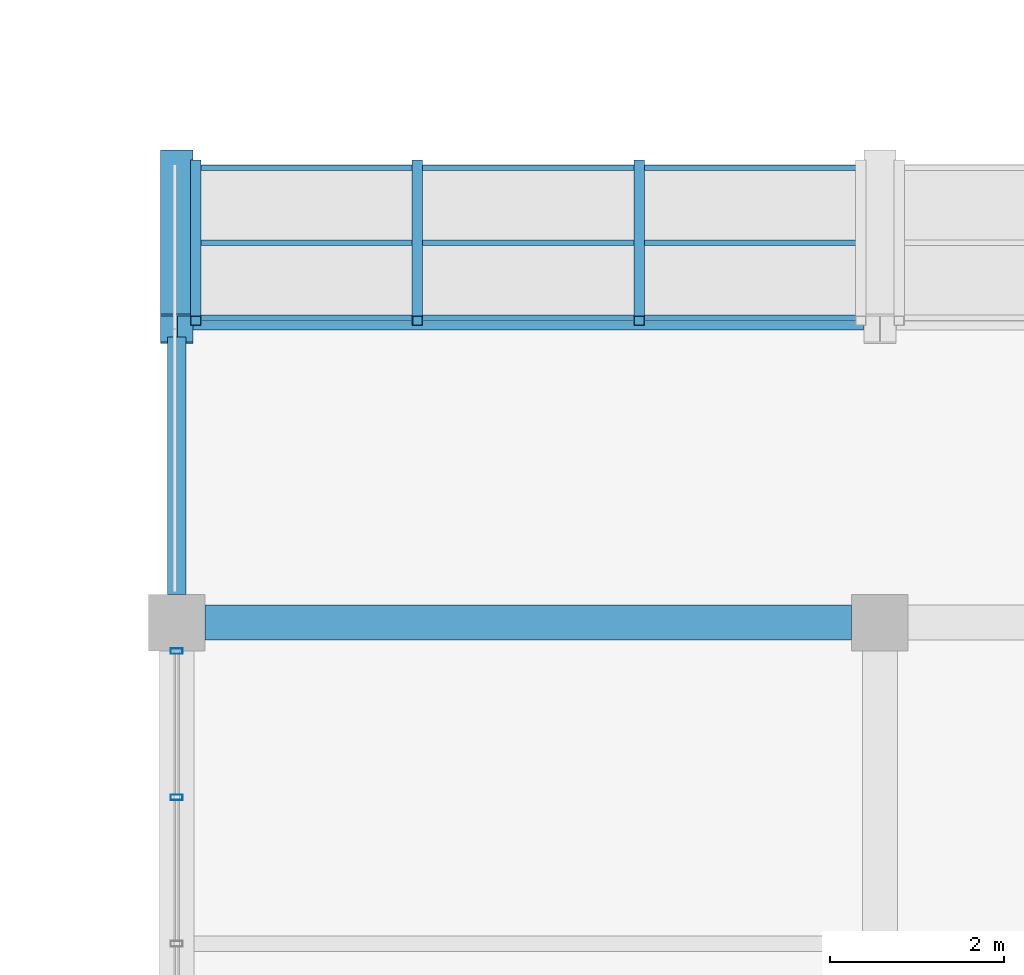
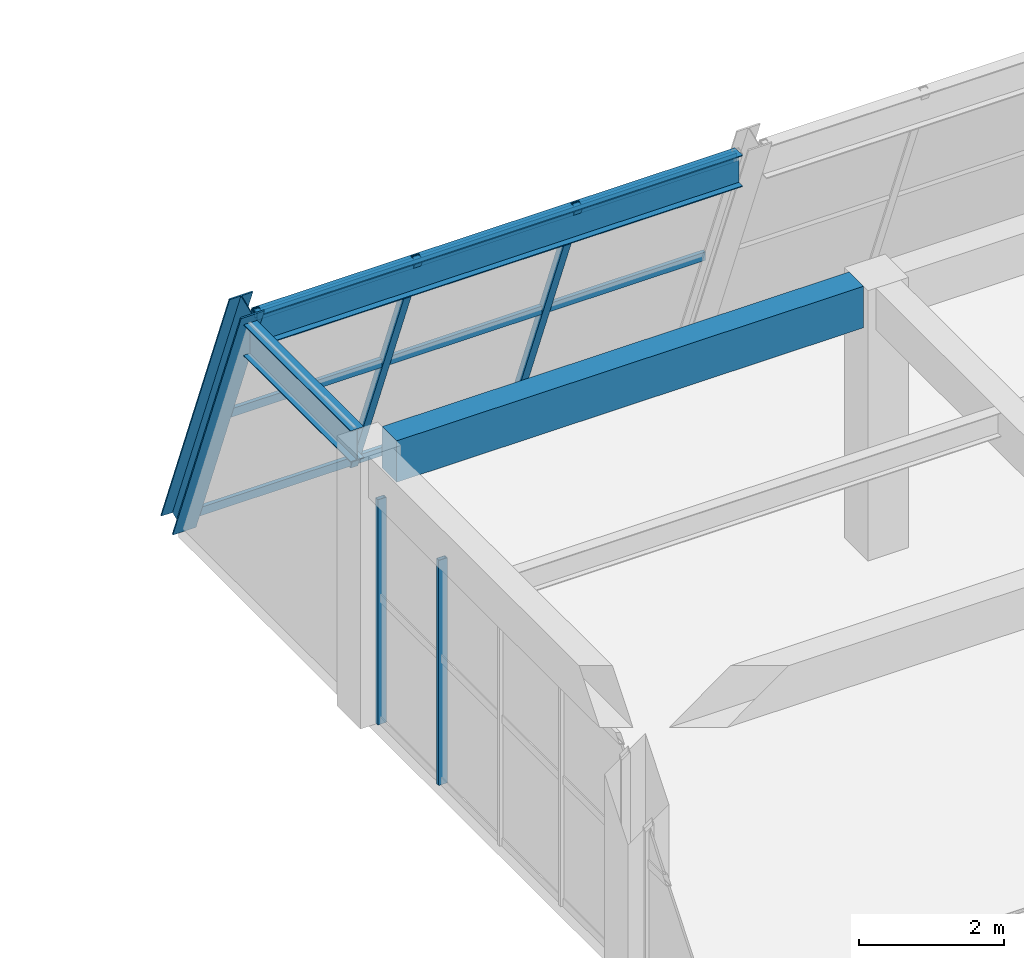
# One storey, part 126 of 161: 9 members, 3 beams, 2 elements without a shape of their own.
"""IFC4 building model written with IfcOpenShell, lengths in metres."""

from ifc_helpers import new_model, si_unit, direction, frame, origin, origin_2d, place, context, subcontext, project, spatial, rectangle, hollow_rectangle, i_section, extrude, material, material_profile, profile_set, type_object, element, aggregate, save


model = new_model("IFC4")

# Units and contexts
model_context = context("Model", 3, precision=1e-05, world=origin(), true_north=direction((0.0, 1.0)))
body_context = subcontext(model_context, "Body", "Model", "MODEL_VIEW")
ifc_project = project(units=[si_unit("LENGTHUNIT", "METRE"), si_unit("AREAUNIT", "SQUARE_METRE"), si_unit("VOLUMEUNIT", "CUBIC_METRE"), si_unit("PLANEANGLEUNIT", "RADIAN"), si_unit("MASSUNIT", "GRAM", prefix="KILO")], contexts=[model_context])

# Site, building, storey
site_placement = place(None, origin())
site = spatial("IfcSite", under=ifc_project, at=site_placement, CompositionType="ELEMENT")
building_placement = place(site_placement, origin())
building = spatial("IfcBuilding", under=site, at=building_placement, Name="Cimatlan Art Gallery", CompositionType="ELEMENT")
storey_placement = place(building_placement, frame((0.0, 0.0, 5.39990234375)))
storey = spatial("IfcBuildingStorey", under=building, at=storey_placement, Name="L01", CompositionType="ELEMENT", Elevation=5.39990234375)

# Beams
ifc_material_1 = material(Name="Concrete C40/50", Category="concrete")
ifc_material_profile_1 = material_profile(ifc_material_1, rectangle(XDim=0.39990234375, YDim=0.699951171875, at=origin_2d()), Name="RC400X700")
ifc_profile_set_1 = profile_set([ifc_material_profile_1], Name="Concrete C40/50")
beam_type_1 = type_object("IfcBeamType", Name="BM-RC-400X700", PredefinedType="BEAM", material=ifc_profile_set_1)
beam_1_placement = place(storey_placement, frame((148.125, 75.699951171875, 4.210205078125), z_axis=(1.0, 0.0, 0.0), x_axis=(0.0, 1.0, 0.0)))
element("IfcBeam", 1, at=beam_1_placement, inside=storey, type_object=beam_type_1, Name="BM-X-L01-18-10", PredefinedType="BEAM", context=body_context, shape_type="SweptSolid", body=[
    extrude(rectangle(XDim=0.39990234375, YDim=0.699951171875, at=origin_2d()), origin(), (0.0, 0.0, 1.0), 7.449951171875),
])
ifc_material_2 = material(Name="Steel ASTM A992 Grade 50", Category="steel")
ifc_material_profile_2 = material_profile(ifc_material_2, i_section(OverallWidth=0.2099609375, OverallDepth=0.532958984375, WebThickness=0.01025390625, FlangeThickness=0.015625, at=origin_2d()), Name="W21X62")
ifc_profile_set_2 = profile_set([ifc_material_profile_2], Name="Steel ASTM A992 Grade 50")
beam_type_2 = type_object("IfcBeamType", Name="BM-STL-W21X62", PredefinedType="BEAM", material=ifc_profile_set_2)
beam_2_placement = place(storey_placement, frame((147.989990234375, 79.1767578125, 4.293701171875), z_axis=(1.0, 0.0, 0.0), x_axis=(0.0, 1.0, 0.0)))
element("IfcBeam", 2, at=beam_2_placement, inside=storey, type_object=beam_type_2, Name="BM-PRW-X-L01-B5-18", PredefinedType="BEAM", context=body_context, shape_type="SweptSolid", body=[
    extrude(i_section(OverallWidth=0.2099609375, OverallDepth=0.532958984375, WebThickness=0.01025390625, FlangeThickness=0.015625, at=origin_2d()), origin(), (0.0, 0.0, 1.0), 7.719970703125),
])
beam_3_placement = place(storey_placement, frame((147.800048828125, 76.02490234375, 4.293701171875), z_axis=(0.0, 1.0, 0.0), x_axis=(-1.0, 0.0, 0.0)))
element("IfcBeam", 3, at=beam_3_placement, inside=storey, type_object=beam_type_2, Name="BM-PRW-Y-L01-B5-18", PredefinedType="BEAM", context=body_context, shape_type="SweptSolid", body=[
    extrude(i_section(OverallWidth=0.2099609375, OverallDepth=0.532958984375, WebThickness=0.01025390625, FlangeThickness=0.015625, at=origin_2d()), origin(), (0.0, 0.0, 1.0), 2.9619140625),
])

# Curtain wall, members
ifc_material_3 = material(Name="Anodised bronze unitised curtain wall")
curtain_wall_type_1 = type_object("IfcCurtainWallType", Name="CW-V-06742X03800-B4", PredefinedType="NOTDEFINED", material=ifc_material_3)
curtain_wall_1_placement = place(storey_placement, origin())
curtain_wall_1 = element("IfcCurtainWall", 4, at=curtain_wall_1_placement, inside=storey, type_object=curtain_wall_type_1, Name="CW-L01-18-09-W", PredefinedType="NOTDEFINED")
ifc_material_4 = material(Name="Anodised bronze aluminium 6063-T6", Category="aluminium")
ifc_material_profile_3 = material_profile(ifc_material_4, hollow_rectangle(XDim=0.06494140625, YDim=0.139892578125, WallThickness=0.00390625, at=origin_2d()), Name="ALU65X140X4")
ifc_profile_set_3 = profile_set([ifc_material_profile_3], Name="Anodised bronze aluminium 6063-T6")
member_type_1 = type_object("IfcMemberType", Name="CW-MUL-140", PredefinedType="MULLION", material=ifc_profile_set_3)
member_1_placement = place(storey_placement, frame((147.800048828125, 73.685546875, 0.0), z_axis=(0.0, 0.0, 1.0), x_axis=(0.0, 1.0, 0.0)))
member_1 = element("IfcMember", 5, at=member_1_placement, type_object=member_type_1, Name="CW-L01-18-09-W-M4", PredefinedType="MULLION", context=body_context, shape_type="SweptSolid", body=[
    extrude(hollow_rectangle(XDim=0.06494140625, YDim=0.139892578125, WallThickness=0.00390625, at=origin_2d()), origin(), (0.0, 0.0, 1.0), 3.800048828125),
])
member_2_placement = place(storey_placement, frame((147.800048828125, 75.37109375, 0.0), z_axis=(0.0, 0.0, 1.0), x_axis=(0.0, 1.0, 0.0)))
member_2 = element("IfcMember", 6, at=member_2_placement, type_object=member_type_1, Name="CW-L01-18-09-W-M5", PredefinedType="MULLION", context=body_context, shape_type="SweptSolid", body=[
    extrude(hollow_rectangle(XDim=0.06494140625, YDim=0.139892578125, WallThickness=0.00390625, at=origin_2d()), origin(), (0.0, 0.0, 1.0), 3.800048828125),
])
aggregate(curtain_wall_1, [member_1, member_2])

ifc_material_5 = material(Name="Raked steel-and-bronze lancet curtain wall", Category="steel")
curtain_wall_type_2 = type_object("IfcCurtainWallType", Name="CW-RAK-07660X04901-B3", PredefinedType="NOTDEFINED", material=ifc_material_5)
curtain_wall_2_placement = place(storey_placement, origin())
curtain_wall_2 = element("IfcCurtainWall", 7, at=curtain_wall_2_placement, inside=storey, type_object=curtain_wall_type_2, Name="CW-PROW-L01-B5-18", PredefinedType="NOTDEFINED")
ifc_material_6 = material(Name="Steel ASTM A500 Grade C", Category="steel")
ifc_material_profile_4 = material_profile(ifc_material_6, hollow_rectangle(XDim=0.1201171875, YDim=0.1201171875, WallThickness=0.00634765625, at=origin_2d()), Name="HSS120X120X6")
ifc_profile_set_4 = profile_set([ifc_material_profile_4], Name="Steel ASTM A500 Grade C")
member_type_2 = type_object("IfcMemberType", Name="CW-MUL-RAK", PredefinedType="MULLION", material=ifc_profile_set_4)
member_3_placement = place(storey_placement, frame((148.02001953125, 80.972900390625, 0.0), z_axis=(0.0, -0.366481396036, 0.930425379254), x_axis=(1.0, 0.0, 0.0)))
member_3 = element("IfcMember", 8, at=member_3_placement, type_object=member_type_2, Name="CW-PROW-L01-B5-18-M1", PredefinedType="MULLION", context=body_context, shape_type="SweptSolid", body=[
    extrude(hollow_rectangle(XDim=0.1201171875, YDim=0.1201171875, WallThickness=0.00634765625, at=origin_2d()), origin(), (0.0, 0.0, 1.0), 4.901123046875),
])
member_4_placement = place(storey_placement, frame((150.5732421875, 80.972900390625, 0.0), z_axis=(0.0, -0.366481396036, 0.930425379254), x_axis=(1.0, 0.0, 0.0)))
member_4 = element("IfcMember", 9, at=member_4_placement, type_object=member_type_2, Name="CW-PROW-L01-B5-18-M2", PredefinedType="MULLION", context=body_context, shape_type="SweptSolid", body=[
    extrude(hollow_rectangle(XDim=0.1201171875, YDim=0.1201171875, WallThickness=0.00634765625, at=origin_2d()), origin(), (0.0, 0.0, 1.0), 4.901123046875),
])
member_5_placement = place(storey_placement, frame((153.126708984375, 80.972900390625, 0.0), z_axis=(0.0, -0.366481396036, 0.930425379254), x_axis=(1.0, 0.0, 0.0)))
member_5 = element("IfcMember", 10, at=member_5_placement, type_object=member_type_2, Name="CW-PROW-L01-B5-18-M3", PredefinedType="MULLION", context=body_context, shape_type="SweptSolid", body=[
    extrude(hollow_rectangle(XDim=0.1201171875, YDim=0.1201171875, WallThickness=0.00634765625, at=origin_2d()), origin(), (0.0, 0.0, 1.0), 4.901123046875),
])
ifc_material_profile_5 = material_profile(ifc_material_4, hollow_rectangle(XDim=0.06494140625, YDim=0.139892578125, WallThickness=0.00390625, at=origin_2d()), Name="ALU65X140X4")
ifc_profile_set_5 = profile_set([ifc_material_profile_5], Name="Anodised bronze aluminium 6063-T6")
member_type_3 = type_object("IfcMemberType", Name="CW-TRN-140", PredefinedType="USERDEFINED", material=ifc_profile_set_5)
member_6_placement = place(storey_placement, frame((148.02001953125, 80.93701171875, 0.09130859375), z_axis=(1.0, 0.0, 0.0), x_axis=(0.0, 1.0, 0.0)))
member_6 = element("IfcMember", 11, at=member_6_placement, type_object=member_type_3, Name="CW-PROW-L01-B5-18-T1", ObjectType="TRANSOM", PredefinedType="USERDEFINED", context=body_context, shape_type="SweptSolid", body=[
    extrude(hollow_rectangle(XDim=0.06494140625, YDim=0.139892578125, WallThickness=0.00390625, at=origin_2d()), origin(), (0.0, 0.0, 1.0), 7.659912109375),
])
member_7_placement = place(storey_placement, frame((148.02001953125, 80.07470703125, 2.280029296875), z_axis=(1.0, 0.0, 0.0), x_axis=(0.0, 1.0, 0.0)))
member_7 = element("IfcMember", 12, at=member_7_placement, type_object=member_type_3, Name="CW-PROW-L01-B5-18-T2", ObjectType="TRANSOM", PredefinedType="USERDEFINED", context=body_context, shape_type="SweptSolid", body=[
    extrude(hollow_rectangle(XDim=0.06494140625, YDim=0.139892578125, WallThickness=0.00390625, at=origin_2d()), origin(), (0.0, 0.0, 1.0), 7.659912109375),
])
member_8_placement = place(storey_placement, frame((148.02001953125, 79.212646484375, 4.468994140625), z_axis=(1.0, 0.0, 0.0), x_axis=(0.0, 1.0, 0.0)))
member_8 = element("IfcMember", 13, at=member_8_placement, type_object=member_type_3, Name="CW-PROW-L01-B5-18-T3", ObjectType="TRANSOM", PredefinedType="USERDEFINED", context=body_context, shape_type="SweptSolid", body=[
    extrude(hollow_rectangle(XDim=0.06494140625, YDim=0.139892578125, WallThickness=0.00390625, at=origin_2d()), origin(), (0.0, 0.0, 1.0), 7.659912109375),
])
aggregate(curtain_wall_2, [member_3, member_4, member_5, member_6, member_7, member_8])

# Member
ifc_material_profile_6 = material_profile(ifc_material_2, i_section(OverallWidth=0.37109375, OverallDepth=0.364013671875, WebThickness=0.01318359375, FlangeThickness=0.021728515625, at=origin_2d()), Name="W14X109")
ifc_profile_set_6 = profile_set([ifc_material_profile_6], Name="Steel ASTM A992 Grade 50")
member_type_4 = type_object("IfcMemberType", Name="MBR-RAK-W14X109", PredefinedType="RAFTER", material=ifc_profile_set_6)
member_9_placement = place(storey_placement, frame((147.800048828125, 80.972900390625, 0.0), z_axis=(0.0, -0.366514587358, 0.930412304978), x_axis=(1.0, 0.0, 0.0)))
element("IfcMember", 14, at=member_9_placement, inside=storey, type_object=member_type_4, Name="MBR-RAK-L01-B5-18", PredefinedType="RAFTER", context=body_context, shape_type="SweptSolid", body=[
    extrude(i_section(OverallWidth=0.37109375, OverallDepth=0.364013671875, WebThickness=0.01318359375, FlangeThickness=0.021728515625, at=origin_2d()), origin(), (0.0, 0.0, 1.0), 5.158935546875),
])

save(model, "model.ifc")
